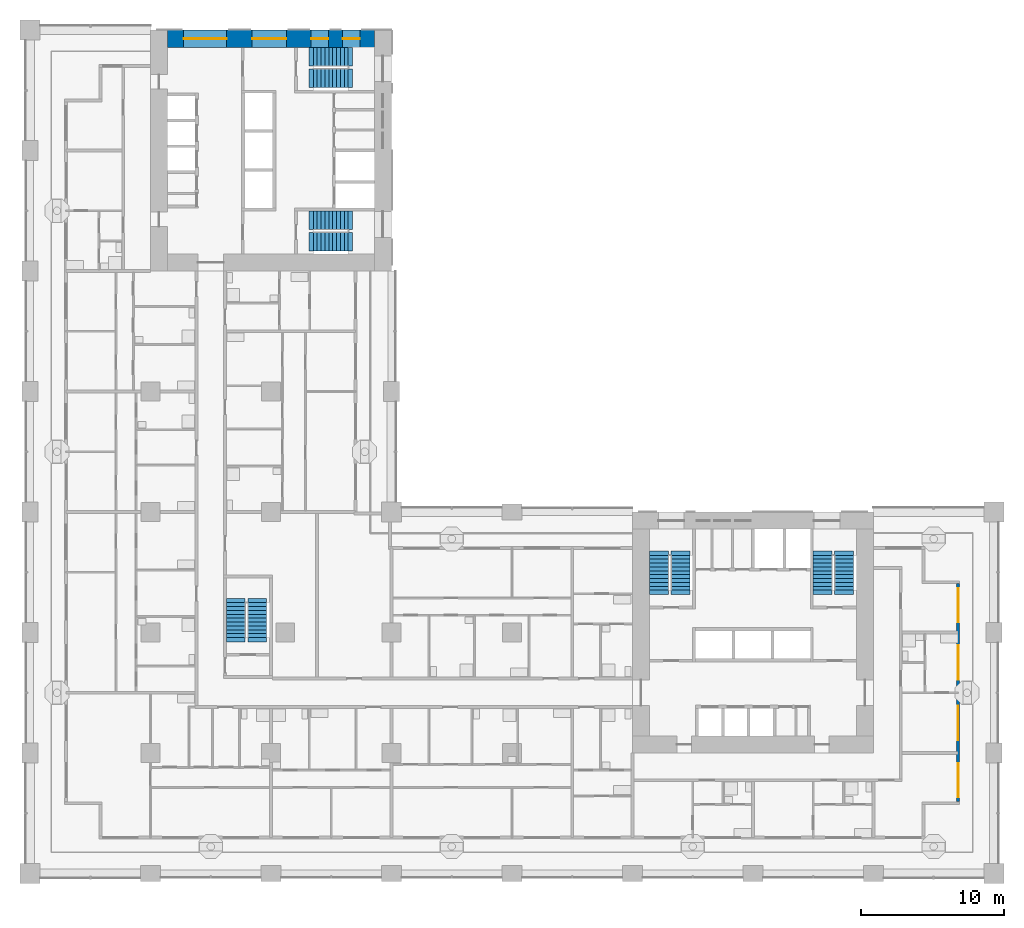
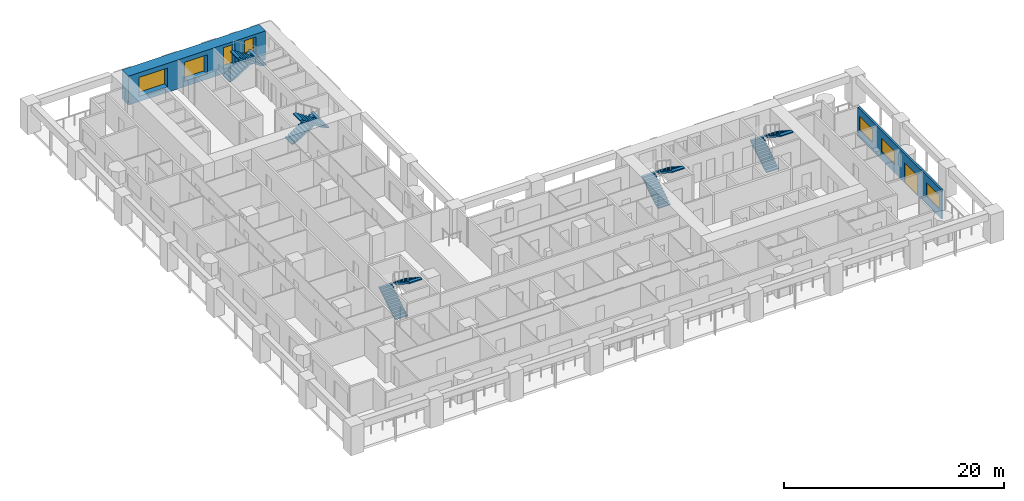
# One storey, part 11 of 22: 10 stair flights, 7 windows, 2 walls, 1 door, 8 openings, 5 elements without a shape of their own.
"""IFC4 building model written with IfcOpenShell, lengths in metres."""

from ifc_helpers import new_model, si_unit, direction, frame, frame_2d, origin, place, context, subcontext, project, spatial, polyline, rectangle, outline, extrude, material, layer, layer_set, type_object, element, fill, aggregate, save


model = new_model("IFC4")

# Units and contexts
model_context = context("Model", 3, precision=1e-05, world=origin(), true_north=direction((0.0, 1.0)))
body_context = subcontext(model_context, "Body", "Model", "MODEL_VIEW")
ifc_project = project(units=[si_unit("LENGTHUNIT", "METRE"), si_unit("AREAUNIT", "SQUARE_METRE"), si_unit("VOLUMEUNIT", "CUBIC_METRE"), si_unit("PLANEANGLEUNIT", "RADIAN"), si_unit("MASSUNIT", "GRAM", prefix="KILO")], contexts=[model_context])

# Site, building, storey
site_placement = place(None, origin())
site = spatial("IfcSite", under=ifc_project, at=site_placement, CompositionType="ELEMENT")
building_placement = place(site_placement, origin())
building = spatial("IfcBuilding", under=site, at=building_placement, Name="Vermilion Gate Residences", CompositionType="ELEMENT")
storey_placement = place(building_placement, frame((0.0, 0.0, 60.199951171875)))
storey = spatial("IfcBuildingStorey", under=building, at=storey_placement, Name="L14", CompositionType="ELEMENT", Elevation=60.199951171875)

# Wall, openings, door, windows
ifc_material_1 = material(Name="Insulated steel stud wall with terracotta rainscreen", Category="masonry")
ifc_layer_1 = layer(ifc_material_1, 0.199951171875)
ifc_layer_set_1 = layer_set([ifc_layer_1], Name="EXTERNAL WALL 200 TERRACOTTA RAINSCREEN")
wall_type_1 = type_object("IfcWallType", Name="EXTERNAL WALL 200 TERRACOTTA RAINSCREEN", PredefinedType="SOLIDWALL", material=ifc_layer_set_1)
wall_1_placement = place(storey_placement, frame((64.699951171875, 5.0, 0.0), z_axis=(0.0, 0.0, 1.0), x_axis=(0.0, 1.0, 0.0)))
wall_1 = element("IfcWall", 1, at=wall_1_placement, inside=storey, type_object=wall_type_1, Name="External wall", PredefinedType="SOLIDWALL", context=body_context, shape_type="SweptSolid", body=[
    extrude(rectangle(XDim=15.199951171875, YDim=0.199951171875, at=frame_2d((7.60009765625, 0.0))), origin(), (0.0, 0.0, 1.0), 3.219970703125),
])
opening_1_placement = place(wall_1_placement, frame((0.300048828125, 0.0, 0.89990234375)))
opening_1 = element("IfcOpeningElement", 2, at=opening_1_placement, cuts=wall_1, Name="Opening WE14028", PredefinedType="OPENING", context=body_context, shape_type="SweptSolid", body=[
    extrude(rectangle(XDim=2.39990234375, YDim=1.5, at=frame_2d((1.199951171875, 0.75))), frame((0.0, 0.10986328125, 0.0), z_axis=(0.0, -1.0, 0.0), x_axis=(1.0, 0.0, 0.0)), (0.0, 0.0, 1.0), 0.219970703125),
])
opening_2_placement = place(wall_1_placement, frame((4.300048828125, 0.0, 0.0)))
opening_2 = element("IfcOpeningElement", 3, at=opening_2_placement, cuts=wall_1, Name="Opening DE14029", PredefinedType="OPENING", context=body_context, shape_type="SweptSolid", body=[
    extrude(rectangle(XDim=2.39990234375, YDim=2.199951171875, at=frame_2d((1.199951171875, 1.10009765625))), frame((0.0, 0.10986328125, 0.0), z_axis=(0.0, -1.0, 0.0), x_axis=(1.0, 0.0, 0.0)), (0.0, 0.0, 1.0), 0.219970703125),
])
opening_3_placement = place(wall_1_placement, frame((8.5, 0.0, 0.89990234375)))
opening_3 = element("IfcOpeningElement", 4, at=opening_3_placement, cuts=wall_1, Name="Opening WE14030", PredefinedType="OPENING", context=body_context, shape_type="SweptSolid", body=[
    extrude(rectangle(XDim=2.39990234375, YDim=1.5, at=frame_2d((1.199951171875, 0.75))), frame((0.0, 0.10986328125, 0.0), z_axis=(0.0, -1.0, 0.0), x_axis=(1.0, 0.0, 0.0)), (0.0, 0.0, 1.0), 0.219970703125),
])
opening_4_placement = place(wall_1_placement, frame((12.5, 0.0, 0.89990234375)))
opening_4 = element("IfcOpeningElement", 5, at=opening_4_placement, cuts=wall_1, Name="Opening WE14031", PredefinedType="OPENING", context=body_context, shape_type="SweptSolid", body=[
    extrude(rectangle(XDim=2.39990234375, YDim=1.5, at=frame_2d((1.199951171875, 0.75))), frame((0.0, 0.10986328125, 0.0), z_axis=(0.0, -1.0, 0.0), x_axis=(1.0, 0.0, 0.0)), (0.0, 0.0, 1.0), 0.219970703125),
])
ifc_material_2 = material(Name="Aluminium and clear glass", Category="aluminium")
door_type = type_object("IfcDoorType", Name="SLIDING GLAZED DOOR 2400 X 2200", OperationType="DOUBLE_DOOR_SLIDING", PredefinedType="DOOR", material=ifc_material_2)
door_placement = place(opening_2_placement, origin())
door = element("IfcDoor", 6, at=door_placement, inside=storey, type_object=door_type, Name="Loggia sliding door", OperationType="DOUBLE_DOOR_SLIDING", OverallHeight=2.199951171875, OverallWidth=2.39990234375, PredefinedType="DOOR", context=body_context, shape_type="SweptSolid", body=[
    extrude(rectangle(XDim=2.39990234375, YDim=2.199951171875, at=frame_2d((1.199951171875, 1.10009765625))), frame((0.0, 0.02490234375, 0.0), z_axis=(0.0, -1.0, 0.0), x_axis=(1.0, 0.0, 0.0)), (0.0, 0.0, 1.0), 0.050048828125),
])
fill(opening_2, door)
ifc_material_3 = material(Name="Aluminium and clear glass", Category="aluminium")
window_type_1 = type_object("IfcWindowType", Name="WINDOW 2400 X 1500", PartitioningType="SINGLE_PANEL", PredefinedType="WINDOW", material=ifc_material_3)
window_1_placement = place(opening_1_placement, origin())
window_1 = element("IfcWindow", 7, at=window_1_placement, inside=storey, type_object=window_type_1, Name="Window", OverallHeight=1.5, OverallWidth=2.39990234375, PartitioningType="SINGLE_PANEL", PredefinedType="WINDOW", context=body_context, shape_type="SweptSolid", body=[
    extrude(rectangle(XDim=2.39990234375, YDim=1.5, at=frame_2d((1.199951171875, 0.75))), frame((0.0, 0.030029296875, 0.0), z_axis=(0.0, -1.0, 0.0), x_axis=(1.0, 0.0, 0.0)), (0.0, 0.0, 1.0), 0.06005859375),
])
fill(opening_1, window_1)
window_2_placement = place(opening_3_placement, origin())
window_2 = element("IfcWindow", 8, at=window_2_placement, inside=storey, type_object=window_type_1, Name="Window", OverallHeight=1.5, OverallWidth=2.39990234375, PartitioningType="SINGLE_PANEL", PredefinedType="WINDOW", context=body_context, shape_type="SweptSolid", body=[
    extrude(rectangle(XDim=2.39990234375, YDim=1.5, at=frame_2d((1.199951171875, 0.75))), frame((0.0, 0.030029296875, 0.0), z_axis=(0.0, -1.0, 0.0), x_axis=(1.0, 0.0, 0.0)), (0.0, 0.0, 1.0), 0.06005859375),
])
fill(opening_3, window_2)
window_3_placement = place(opening_4_placement, origin())
window_3 = element("IfcWindow", 9, at=window_3_placement, inside=storey, type_object=window_type_1, Name="Window", OverallHeight=1.5, OverallWidth=2.39990234375, PartitioningType="SINGLE_PANEL", PredefinedType="WINDOW", context=body_context, shape_type="SweptSolid", body=[
    extrude(rectangle(XDim=2.39990234375, YDim=1.5, at=frame_2d((1.199951171875, 0.75))), frame((0.0, 0.030029296875, 0.0), z_axis=(0.0, -1.0, 0.0), x_axis=(1.0, 0.0, 0.0)), (0.0, 0.0, 1.0), 0.06005859375),
])
fill(opening_4, window_3)

# Wall, openings, windows
ifc_material_4 = material(Name="Concrete C80 red-oxide pigmented", Category="concrete")
ifc_layer_2 = layer(ifc_material_4, 1.199951171875)
ifc_layer_set_2 = layer_set([ifc_layer_2], Name="RC CORE WALL 1200 C80 RED OXIDE")
wall_type_2 = type_object("IfcWallType", Name="RC CORE WALL 1200 C80 RED OXIDE", PredefinedType="SHEAR", material=ifc_layer_set_2)
wall_2_placement = place(storey_placement, frame((9.60009765625, 58.199951171875, 0.0), z_axis=(0.0, 0.0, 1.0), x_axis=(1.0, 0.0, 0.0)))
wall_2 = element("IfcWall", 10, at=wall_2_placement, inside=storey, type_object=wall_type_2, Name="Core wall B14-OUT-FR", PredefinedType="SHEAR", context=body_context, shape_type="SweptSolid", body=[
    extrude(rectangle(XDim=14.39990234375, YDim=1.199951171875, at=frame_2d((7.199951171875, 0.0))), origin(), (0.0, 0.0, 1.0), 3.219970703125),
])
opening_5_placement = place(wall_2_placement, frame((1.10498046875, 0.0, 0.60009765625)))
opening_5 = element("IfcOpeningElement", 11, at=opening_5_placement, cuts=wall_2, Name="Opening WKB1406", PredefinedType="OPENING", context=body_context, shape_type="SweptSolid", body=[
    extrude(rectangle(XDim=3.0, YDim=2.10009765625, at=frame_2d((1.5, 1.050048828125))), frame((0.0, 0.60986328125, 0.0), z_axis=(0.0, -1.0, 0.0), x_axis=(1.0, 0.0, 0.0)), (0.0, 0.0, 1.0), 1.219970703125),
])
opening_6_placement = place(wall_2_placement, frame((5.875, 0.0, 0.60009765625)))
opening_6 = element("IfcOpeningElement", 12, at=opening_6_placement, cuts=wall_2, Name="Opening WKB1407", PredefinedType="OPENING", context=body_context, shape_type="SweptSolid", body=[
    extrude(rectangle(XDim=2.39990234375, YDim=2.10009765625, at=frame_2d((1.199951171875, 1.050048828125))), frame((0.0, 0.60986328125, 0.0), z_axis=(0.0, -1.0, 0.0), x_axis=(1.0, 0.0, 0.0)), (0.0, 0.0, 1.0), 1.219970703125),
])
opening_7_placement = place(wall_2_placement, frame((9.993408203125, 0.0, 0.5)))
opening_7 = element("IfcOpeningElement", 13, at=opening_7_placement, cuts=wall_2, Name="Opening WKB1408", PredefinedType="OPENING", context=body_context, shape_type="SweptSolid", body=[
    extrude(rectangle(XDim=1.199951171875, YDim=2.39990234375, at=frame_2d((0.60009765625, 1.199951171875))), frame((0.0, 0.60986328125, 0.0), z_axis=(0.0, -1.0, 0.0), x_axis=(1.0, 0.0, 0.0)), (0.0, 0.0, 1.0), 1.219970703125),
])
opening_8_placement = place(wall_2_placement, frame((12.19677734375, 0.0, 0.5)))
opening_8 = element("IfcOpeningElement", 14, at=opening_8_placement, cuts=wall_2, Name="Opening WKB1409", PredefinedType="OPENING", context=body_context, shape_type="SweptSolid", body=[
    extrude(rectangle(XDim=1.199951171875, YDim=2.39990234375, at=frame_2d((0.60009765625, 1.199951171875))), frame((0.0, 0.60986328125, 0.0), z_axis=(0.0, -1.0, 0.0), x_axis=(1.0, 0.0, 0.0)), (0.0, 0.0, 1.0), 1.219970703125),
])
ifc_material_5 = material(Name="Aluminium and clear glass", Category="aluminium")
window_type_2 = type_object("IfcWindowType", Name="CORE LOBBY WINDOW 2400 X 2100", PartitioningType="SINGLE_PANEL", PredefinedType="WINDOW", material=ifc_material_5)
window_4_placement = place(opening_6_placement, origin())
window_4 = element("IfcWindow", 15, at=window_4_placement, inside=storey, type_object=window_type_2, Name="Core lobby window", OverallHeight=2.10009765625, OverallWidth=2.39990234375, PartitioningType="SINGLE_PANEL", PredefinedType="WINDOW", context=body_context, shape_type="SweptSolid", body=[
    extrude(rectangle(XDim=2.39990234375, YDim=2.10009765625, at=frame_2d((1.199951171875, 1.050048828125))), frame((0.0, 0.030029296875, 0.0), z_axis=(0.0, -1.0, 0.0), x_axis=(1.0, 0.0, 0.0)), (0.0, 0.0, 1.0), 0.06005859375),
])
fill(opening_6, window_4)
ifc_material_6 = material(Name="Aluminium and clear glass", Category="aluminium")
window_type_3 = type_object("IfcWindowType", Name="CORE LOBBY WINDOW 3000 X 2100", PartitioningType="SINGLE_PANEL", PredefinedType="WINDOW", material=ifc_material_6)
window_5_placement = place(opening_5_placement, origin())
window_5 = element("IfcWindow", 16, at=window_5_placement, inside=storey, type_object=window_type_3, Name="Core lobby window", OverallHeight=2.10009765625, OverallWidth=3.0, PartitioningType="SINGLE_PANEL", PredefinedType="WINDOW", context=body_context, shape_type="SweptSolid", body=[
    extrude(rectangle(XDim=3.0, YDim=2.10009765625, at=frame_2d((1.5, 1.050048828125))), frame((0.0, 0.030029296875, 0.0), z_axis=(0.0, -1.0, 0.0), x_axis=(1.0, 0.0, 0.0)), (0.0, 0.0, 1.0), 0.06005859375),
])
fill(opening_5, window_5)
ifc_material_7 = material(Name="Aluminium and clear glass", Category="aluminium")
window_type_4 = type_object("IfcWindowType", Name="CORE STAIR WINDOW 1200 X 2400", PartitioningType="SINGLE_PANEL", PredefinedType="WINDOW", material=ifc_material_7)
window_6_placement = place(opening_7_placement, origin())
window_6 = element("IfcWindow", 17, at=window_6_placement, inside=storey, type_object=window_type_4, Name="Core stair window", OverallHeight=2.39990234375, OverallWidth=1.199951171875, PartitioningType="SINGLE_PANEL", PredefinedType="WINDOW", context=body_context, shape_type="SweptSolid", body=[
    extrude(rectangle(XDim=1.199951171875, YDim=2.39990234375, at=frame_2d((0.60009765625, 1.199951171875))), frame((0.0, 0.030029296875, 0.0), z_axis=(0.0, -1.0, 0.0), x_axis=(1.0, 0.0, 0.0)), (0.0, 0.0, 1.0), 0.06005859375),
])
fill(opening_7, window_6)
window_7_placement = place(opening_8_placement, origin())
window_7 = element("IfcWindow", 18, at=window_7_placement, inside=storey, type_object=window_type_4, Name="Core stair window", OverallHeight=2.39990234375, OverallWidth=1.199951171875, PartitioningType="SINGLE_PANEL", PredefinedType="WINDOW", context=body_context, shape_type="SweptSolid", body=[
    extrude(rectangle(XDim=1.199951171875, YDim=2.39990234375, at=frame_2d((0.60009765625, 1.199951171875))), frame((0.0, 0.030029296875, 0.0), z_axis=(0.0, -1.0, 0.0), x_axis=(1.0, 0.0, 0.0)), (0.0, 0.0, 1.0), 0.06005859375),
])
fill(opening_8, window_7)

# Stair, stair flights
ifc_material_8 = material(Name="Concrete C50", Category="concrete")
stair_type = type_object("IfcStairType", Name="SPECIAL ESCAPE STAIR 1300", PredefinedType="HALF_TURN_STAIR", material=ifc_material_8)
stair_1_placement = place(storey_placement, origin())
stair_1 = element("IfcStair", 19, at=stair_1_placement, inside=storey, type_object=stair_type, Name="Special escape stair STA1-14", PredefinedType="HALF_TURN_STAIR")
ifc_material_9 = material(Name="Concrete C50", Category="concrete")
stair_flight_type = type_object("IfcStairFlightType", Name="STAIR FLIGHT 1300 RC C50", PredefinedType="STRAIGHT", material=ifc_material_9)
stair_flight_1_placement = place(storey_placement, frame((43.85009765625, 19.75, 0.0), z_axis=(0.0, 0.0, 1.0), x_axis=(0.0, 1.0, 0.0)))
stair_flight_1 = element("IfcStairFlight", 20, at=stair_flight_1_placement, type_object=stair_flight_type, Name="STA1-14 flight 1", NumberOfRisers=10, NumberOfTreads=9, PredefinedType="STRAIGHT", RiserHeight=0.175, TreadLength=0.27, context=body_context, shape_type="SweptSolid", body=[
    extrude(outline(polyline([(-0.300048828125, -0.14990234375), (-0.300048828125, -0.030029296875), (0.0, 0.0), (0.0, 0.175048828125), (0.27001953125, 0.175048828125), (0.27001953125, 0.35009765625), (0.5400390625, 0.35009765625), (0.5400390625, 0.52490234375), (0.81005859375, 0.52490234375), (0.81005859375, 0.699951171875), (1.080078125, 0.699951171875), (1.080078125, 0.875), (1.35009765625, 0.875), (1.35009765625, 1.050048828125), (1.6201171875, 1.050048828125), (1.6201171875, 1.22509765625), (1.889892578125, 1.22509765625), (1.889892578125, 1.39990234375), (2.159912109375, 1.39990234375), (2.159912109375, 1.574951171875), (2.429931640625, 1.574951171875), (2.429931640625, 1.75), (2.72998046875, 1.719970703125), (2.72998046875, 1.60009765625), (2.429931640625, 1.396484375), (0.275634765625, 0.0), (-0.300048828125, -0.14990234375)])), frame((0.0, 0.64990234375, 0.0), z_axis=(0.0, -1.0, 0.0), x_axis=(1.0, 0.0, 0.0)), (0.0, 0.0, 1.0), 1.300048828125),
])
stair_flight_2_placement = place(storey_placement, frame((45.35009765625, 22.179931640625, 1.75), z_axis=(0.0, 0.0, 1.0), x_axis=(0.0, -1.0, 0.0)))
stair_flight_2 = element("IfcStairFlight", 21, at=stair_flight_2_placement, type_object=stair_flight_type, Name="STA1-14 flight 2", NumberOfRisers=10, NumberOfTreads=9, PredefinedType="STRAIGHT", RiserHeight=0.175, TreadLength=0.27, context=body_context, shape_type="SweptSolid", body=[
    extrude(outline(polyline([(-0.300048828125, -0.14990234375), (-0.300048828125, -0.030029296875), (0.0, 0.0), (0.0, 0.175048828125), (0.27001953125, 0.175048828125), (0.27001953125, 0.35009765625), (0.5400390625, 0.35009765625), (0.5400390625, 0.52490234375), (0.81005859375, 0.52490234375), (0.81005859375, 0.699951171875), (1.080078125, 0.699951171875), (1.080078125, 0.875), (1.35009765625, 0.875), (1.35009765625, 1.050048828125), (1.6201171875, 1.050048828125), (1.6201171875, 1.22509765625), (1.889892578125, 1.22509765625), (1.889892578125, 1.39990234375), (2.159912109375, 1.39990234375), (2.159912109375, 1.574951171875), (2.429931640625, 1.574951171875), (2.429931640625, 1.75), (2.72998046875, 1.719970703125), (2.72998046875, 1.60009765625), (2.429931640625, 1.396484375), (0.275634765625, 0.0), (-0.300048828125, -0.14990234375)])), frame((0.0, 0.64990234375, 0.0), z_axis=(0.0, -1.0, 0.0), x_axis=(1.0, 0.0, 0.0)), (0.0, 0.0, 1.0), 1.300048828125),
])
aggregate(stair_1, [stair_flight_1, stair_flight_2])

stair_2_placement = place(storey_placement, origin())
stair_2 = element("IfcStair", 22, at=stair_2_placement, inside=storey, type_object=stair_type, Name="Special escape stair STA2-14", PredefinedType="HALF_TURN_STAIR")
stair_flight_3_placement = place(storey_placement, frame((55.25, 19.75, 0.0), z_axis=(0.0, 0.0, 1.0), x_axis=(0.0, 1.0, 0.0)))
stair_flight_3 = element("IfcStairFlight", 23, at=stair_flight_3_placement, type_object=stair_flight_type, Name="STA2-14 flight 1", NumberOfRisers=10, NumberOfTreads=9, PredefinedType="STRAIGHT", RiserHeight=0.175, TreadLength=0.27, context=body_context, shape_type="SweptSolid", body=[
    extrude(outline(polyline([(-0.300048828125, -0.14990234375), (-0.300048828125, -0.030029296875), (0.0, 0.0), (0.0, 0.175048828125), (0.27001953125, 0.175048828125), (0.27001953125, 0.35009765625), (0.5400390625, 0.35009765625), (0.5400390625, 0.52490234375), (0.81005859375, 0.52490234375), (0.81005859375, 0.699951171875), (1.080078125, 0.699951171875), (1.080078125, 0.875), (1.35009765625, 0.875), (1.35009765625, 1.050048828125), (1.6201171875, 1.050048828125), (1.6201171875, 1.22509765625), (1.889892578125, 1.22509765625), (1.889892578125, 1.39990234375), (2.159912109375, 1.39990234375), (2.159912109375, 1.574951171875), (2.429931640625, 1.574951171875), (2.429931640625, 1.75), (2.72998046875, 1.719970703125), (2.72998046875, 1.60009765625), (2.429931640625, 1.396484375), (0.275634765625, 0.0), (-0.300048828125, -0.14990234375)])), frame((0.0, 0.64990234375, 0.0), z_axis=(0.0, -1.0, 0.0), x_axis=(1.0, 0.0, 0.0)), (0.0, 0.0, 1.0), 1.300048828125),
])
stair_flight_4_placement = place(storey_placement, frame((56.75, 22.179931640625, 1.75), z_axis=(0.0, 0.0, 1.0), x_axis=(0.0, -1.0, 0.0)))
stair_flight_4 = element("IfcStairFlight", 24, at=stair_flight_4_placement, type_object=stair_flight_type, Name="STA2-14 flight 2", NumberOfRisers=10, NumberOfTreads=9, PredefinedType="STRAIGHT", RiserHeight=0.175, TreadLength=0.27, context=body_context, shape_type="SweptSolid", body=[
    extrude(outline(polyline([(-0.300048828125, -0.14990234375), (-0.300048828125, -0.030029296875), (0.0, 0.0), (0.0, 0.175048828125), (0.27001953125, 0.175048828125), (0.27001953125, 0.35009765625), (0.5400390625, 0.35009765625), (0.5400390625, 0.52490234375), (0.81005859375, 0.52490234375), (0.81005859375, 0.699951171875), (1.080078125, 0.699951171875), (1.080078125, 0.875), (1.35009765625, 0.875), (1.35009765625, 1.050048828125), (1.6201171875, 1.050048828125), (1.6201171875, 1.22509765625), (1.889892578125, 1.22509765625), (1.889892578125, 1.39990234375), (2.159912109375, 1.39990234375), (2.159912109375, 1.574951171875), (2.429931640625, 1.574951171875), (2.429931640625, 1.75), (2.72998046875, 1.719970703125), (2.72998046875, 1.60009765625), (2.429931640625, 1.396484375), (0.275634765625, 0.0), (-0.300048828125, -0.14990234375)])), frame((0.0, 0.64990234375, 0.0), z_axis=(0.0, -1.0, 0.0), x_axis=(1.0, 0.0, 0.0)), (0.0, 0.0, 1.0), 1.300048828125),
])
aggregate(stair_2, [stair_flight_3, stair_flight_4])

stair_3_placement = place(storey_placement, origin())
stair_3 = element("IfcStair", 25, at=stair_3_placement, inside=storey, type_object=stair_type, Name="Special escape stair STB1-14", PredefinedType="HALF_TURN_STAIR")
stair_flight_5_placement = place(storey_placement, frame((19.75, 56.949951171875, 0.0), z_axis=(0.0, 0.0, 1.0), x_axis=(1.0, 0.0, 0.0)))
stair_flight_5 = element("IfcStairFlight", 26, at=stair_flight_5_placement, type_object=stair_flight_type, Name="STB1-14 flight 1", NumberOfRisers=10, NumberOfTreads=9, PredefinedType="STRAIGHT", RiserHeight=0.175, TreadLength=0.27, context=body_context, shape_type="SweptSolid", body=[
    extrude(outline(polyline([(-0.300048828125, -0.14990234375), (-0.300048828125, -0.030029296875), (0.0, 0.0), (0.0, 0.175048828125), (0.27001953125, 0.175048828125), (0.27001953125, 0.35009765625), (0.5400390625, 0.35009765625), (0.5400390625, 0.52490234375), (0.81005859375, 0.52490234375), (0.81005859375, 0.699951171875), (1.080078125, 0.699951171875), (1.080078125, 0.875), (1.35009765625, 0.875), (1.35009765625, 1.050048828125), (1.6201171875, 1.050048828125), (1.6201171875, 1.22509765625), (1.889892578125, 1.22509765625), (1.889892578125, 1.39990234375), (2.159912109375, 1.39990234375), (2.159912109375, 1.574951171875), (2.429931640625, 1.574951171875), (2.429931640625, 1.75), (2.72998046875, 1.719970703125), (2.72998046875, 1.60009765625), (2.429931640625, 1.396484375), (0.275634765625, 0.0), (-0.300048828125, -0.14990234375)])), frame((0.0, 0.64990234375, 0.0), z_axis=(0.0, -1.0, 0.0), x_axis=(1.0, 0.0, 0.0)), (0.0, 0.0, 1.0), 1.300048828125),
])
stair_flight_6_placement = place(storey_placement, frame((22.179931640625, 55.449951171875, 1.75), z_axis=(0.0, 0.0, 1.0), x_axis=(-1.0, 0.0, 0.0)))
stair_flight_6 = element("IfcStairFlight", 27, at=stair_flight_6_placement, type_object=stair_flight_type, Name="STB1-14 flight 2", NumberOfRisers=10, NumberOfTreads=9, PredefinedType="STRAIGHT", RiserHeight=0.175, TreadLength=0.27, context=body_context, shape_type="SweptSolid", body=[
    extrude(outline(polyline([(-0.300048828125, -0.14990234375), (-0.300048828125, -0.030029296875), (0.0, 0.0), (0.0, 0.175048828125), (0.27001953125, 0.175048828125), (0.27001953125, 0.35009765625), (0.5400390625, 0.35009765625), (0.5400390625, 0.52490234375), (0.81005859375, 0.52490234375), (0.81005859375, 0.699951171875), (1.080078125, 0.699951171875), (1.080078125, 0.875), (1.35009765625, 0.875), (1.35009765625, 1.050048828125), (1.6201171875, 1.050048828125), (1.6201171875, 1.22509765625), (1.889892578125, 1.22509765625), (1.889892578125, 1.39990234375), (2.159912109375, 1.39990234375), (2.159912109375, 1.574951171875), (2.429931640625, 1.574951171875), (2.429931640625, 1.75), (2.72998046875, 1.719970703125), (2.72998046875, 1.60009765625), (2.429931640625, 1.396484375), (0.275634765625, 0.0), (-0.300048828125, -0.14990234375)])), frame((0.0, 0.64990234375, 0.0), z_axis=(0.0, -1.0, 0.0), x_axis=(1.0, 0.0, 0.0)), (0.0, 0.0, 1.0), 1.300048828125),
])
aggregate(stair_3, [stair_flight_5, stair_flight_6])

stair_4_placement = place(storey_placement, origin())
stair_4 = element("IfcStair", 28, at=stair_4_placement, inside=storey, type_object=stair_type, Name="Special escape stair STB2-14", PredefinedType="HALF_TURN_STAIR")
stair_flight_7_placement = place(storey_placement, frame((19.75, 45.550048828125, 0.0), z_axis=(0.0, 0.0, 1.0), x_axis=(1.0, 0.0, 0.0)))
stair_flight_7 = element("IfcStairFlight", 29, at=stair_flight_7_placement, type_object=stair_flight_type, Name="STB2-14 flight 1", NumberOfRisers=10, NumberOfTreads=9, PredefinedType="STRAIGHT", RiserHeight=0.175, TreadLength=0.27, context=body_context, shape_type="SweptSolid", body=[
    extrude(outline(polyline([(-0.300048828125, -0.14990234375), (-0.300048828125, -0.030029296875), (0.0, 0.0), (0.0, 0.175048828125), (0.27001953125, 0.175048828125), (0.27001953125, 0.35009765625), (0.5400390625, 0.35009765625), (0.5400390625, 0.52490234375), (0.81005859375, 0.52490234375), (0.81005859375, 0.699951171875), (1.080078125, 0.699951171875), (1.080078125, 0.875), (1.35009765625, 0.875), (1.35009765625, 1.050048828125), (1.6201171875, 1.050048828125), (1.6201171875, 1.22509765625), (1.889892578125, 1.22509765625), (1.889892578125, 1.39990234375), (2.159912109375, 1.39990234375), (2.159912109375, 1.574951171875), (2.429931640625, 1.574951171875), (2.429931640625, 1.75), (2.72998046875, 1.719970703125), (2.72998046875, 1.60009765625), (2.429931640625, 1.396484375), (0.275634765625, 0.0), (-0.300048828125, -0.14990234375)])), frame((0.0, 0.64990234375, 0.0), z_axis=(0.0, -1.0, 0.0), x_axis=(1.0, 0.0, 0.0)), (0.0, 0.0, 1.0), 1.300048828125),
])
stair_flight_8_placement = place(storey_placement, frame((22.179931640625, 44.050048828125, 1.75), z_axis=(0.0, 0.0, 1.0), x_axis=(-1.0, 0.0, 0.0)))
stair_flight_8 = element("IfcStairFlight", 30, at=stair_flight_8_placement, type_object=stair_flight_type, Name="STB2-14 flight 2", NumberOfRisers=10, NumberOfTreads=9, PredefinedType="STRAIGHT", RiserHeight=0.175, TreadLength=0.27, context=body_context, shape_type="SweptSolid", body=[
    extrude(outline(polyline([(-0.300048828125, -0.14990234375), (-0.300048828125, -0.030029296875), (0.0, 0.0), (0.0, 0.175048828125), (0.27001953125, 0.175048828125), (0.27001953125, 0.35009765625), (0.5400390625, 0.35009765625), (0.5400390625, 0.52490234375), (0.81005859375, 0.52490234375), (0.81005859375, 0.699951171875), (1.080078125, 0.699951171875), (1.080078125, 0.875), (1.35009765625, 0.875), (1.35009765625, 1.050048828125), (1.6201171875, 1.050048828125), (1.6201171875, 1.22509765625), (1.889892578125, 1.22509765625), (1.889892578125, 1.39990234375), (2.159912109375, 1.39990234375), (2.159912109375, 1.574951171875), (2.429931640625, 1.574951171875), (2.429931640625, 1.75), (2.72998046875, 1.719970703125), (2.72998046875, 1.60009765625), (2.429931640625, 1.396484375), (0.275634765625, 0.0), (-0.300048828125, -0.14990234375)])), frame((0.0, 0.64990234375, 0.0), z_axis=(0.0, -1.0, 0.0), x_axis=(1.0, 0.0, 0.0)), (0.0, 0.0, 1.0), 1.300048828125),
])
aggregate(stair_4, [stair_flight_7, stair_flight_8])

stair_5_placement = place(storey_placement, origin())
stair_5 = element("IfcStair", 31, at=stair_5_placement, inside=storey, type_object=stair_type, Name="Special escape stair STC1-14", PredefinedType="HALF_TURN_STAIR")
stair_flight_9_placement = place(storey_placement, frame((14.35009765625, 16.449951171875, 0.0), z_axis=(0.0, 0.0, 1.0), x_axis=(0.0, 1.0, 0.0)))
stair_flight_9 = element("IfcStairFlight", 32, at=stair_flight_9_placement, type_object=stair_flight_type, Name="STC1-14 flight 1", NumberOfRisers=10, NumberOfTreads=9, PredefinedType="STRAIGHT", RiserHeight=0.175, TreadLength=0.27, context=body_context, shape_type="SweptSolid", body=[
    extrude(outline(polyline([(-0.300048828125, -0.14990234375), (-0.300048828125, -0.030029296875), (0.0, 0.0), (0.0, 0.175048828125), (0.27001953125, 0.175048828125), (0.27001953125, 0.35009765625), (0.5400390625, 0.35009765625), (0.5400390625, 0.52490234375), (0.81005859375, 0.52490234375), (0.81005859375, 0.699951171875), (1.080078125, 0.699951171875), (1.080078125, 0.875), (1.35009765625, 0.875), (1.35009765625, 1.050048828125), (1.6201171875, 1.050048828125), (1.6201171875, 1.22509765625), (1.889892578125, 1.22509765625), (1.889892578125, 1.39990234375), (2.159912109375, 1.39990234375), (2.159912109375, 1.574951171875), (2.429931640625, 1.574951171875), (2.429931640625, 1.75), (2.72998046875, 1.719970703125), (2.72998046875, 1.60009765625), (2.429931640625, 1.396484375), (0.275634765625, 0.0), (-0.300048828125, -0.14990234375)])), frame((0.0, 0.64990234375, 0.0), z_axis=(0.0, -1.0, 0.0), x_axis=(1.0, 0.0, 0.0)), (0.0, 0.0, 1.0), 1.300048828125),
])
stair_flight_10_placement = place(storey_placement, frame((15.85009765625, 18.8798828125, 1.75), z_axis=(0.0, 0.0, 1.0), x_axis=(0.0, -1.0, 0.0)))
stair_flight_10 = element("IfcStairFlight", 33, at=stair_flight_10_placement, type_object=stair_flight_type, Name="STC1-14 flight 2", NumberOfRisers=10, NumberOfTreads=9, PredefinedType="STRAIGHT", RiserHeight=0.175, TreadLength=0.27, context=body_context, shape_type="SweptSolid", body=[
    extrude(outline(polyline([(-0.300048828125, -0.14990234375), (-0.300048828125, -0.030029296875), (0.0, 0.0), (0.0, 0.175048828125), (0.27001953125, 0.175048828125), (0.27001953125, 0.35009765625), (0.5400390625, 0.35009765625), (0.5400390625, 0.52490234375), (0.81005859375, 0.52490234375), (0.81005859375, 0.699951171875), (1.080078125, 0.699951171875), (1.080078125, 0.875), (1.35009765625, 0.875), (1.35009765625, 1.050048828125), (1.6201171875, 1.050048828125), (1.6201171875, 1.22509765625), (1.889892578125, 1.22509765625), (1.889892578125, 1.39990234375), (2.159912109375, 1.39990234375), (2.159912109375, 1.574951171875), (2.429931640625, 1.574951171875), (2.429931640625, 1.75), (2.72998046875, 1.719970703125), (2.72998046875, 1.60009765625), (2.429931640625, 1.396484375), (0.275634765625, 0.0), (-0.300048828125, -0.14990234375)])), frame((0.0, 0.64990234375, 0.0), z_axis=(0.0, -1.0, 0.0), x_axis=(1.0, 0.0, 0.0)), (0.0, 0.0, 1.0), 1.300048828125),
])
aggregate(stair_5, [stair_flight_9, stair_flight_10])

save(model, "model.ifc")
